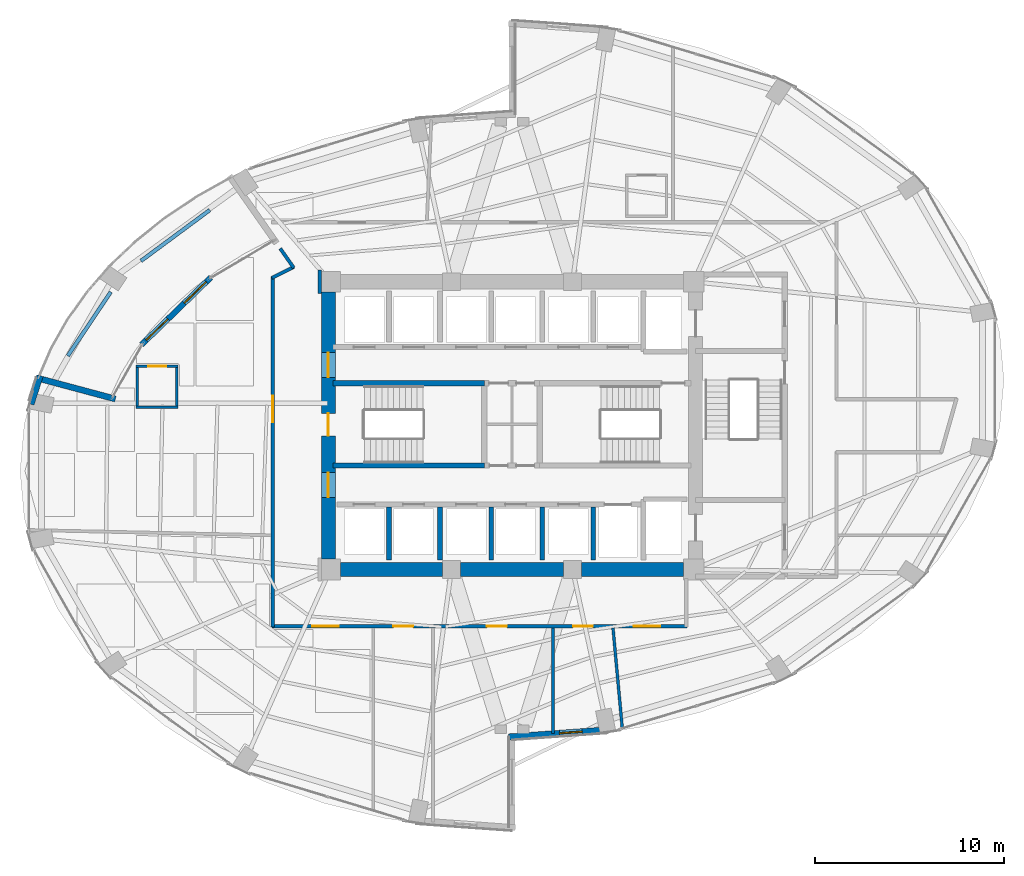
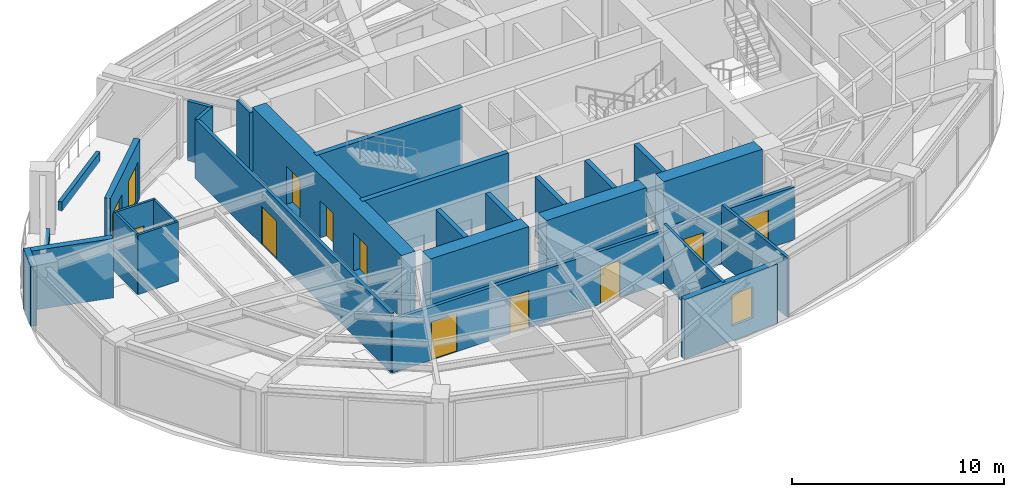
# One storey, part 20 of 24: 28 walls, 12 doors, 1 window, 13 openings.
"""IFC4 building model written with IfcOpenShell, lengths in metres."""

from ifc_helpers import new_model, si_unit, direction, frame, frame_2d, origin, place, context, subcontext, project, spatial, rectangle, extrude, material, layer, layer_set, type_object, element, fill, save


model = new_model("IFC4")

# Units and contexts
model_context = context("Model", 3, precision=1e-05, world=origin(), true_north=direction((0.0, 1.0)))
body_context = subcontext(model_context, "Body", "Model", "MODEL_VIEW")
ifc_project = project(units=[si_unit("LENGTHUNIT", "METRE"), si_unit("AREAUNIT", "SQUARE_METRE"), si_unit("VOLUMEUNIT", "CUBIC_METRE"), si_unit("PLANEANGLEUNIT", "RADIAN"), si_unit("MASSUNIT", "GRAM", prefix="KILO")], contexts=[model_context])

# Site, building, storey
site_placement = place(None, origin())
site = spatial("IfcSite", under=ifc_project, at=site_placement, CompositionType="ELEMENT")
building_placement = place(site_placement, origin())
building = spatial("IfcBuilding", under=site, at=building_placement, Name="Lazwardi Medical Tower", CompositionType="ELEMENT")
storey_placement = place(building_placement, frame((0.0, 0.0, 110.927978515625)))
storey = spatial("IfcBuildingStorey", under=building, at=storey_placement, Name="L28", CompositionType="ELEMENT", Elevation=110.927978515625)

# Wall, opening, door
ifc_material_1 = material(Name="Fire-rated gypsum board on steel stud", Category="steel")
ifc_layer_1 = layer(ifc_material_1, 0.179931640625)
ifc_layer_set_1 = layer_set([ifc_layer_1], Name="Fire-rated gypsum board on steel stud")
wall_type_1 = type_object("IfcWallType", Name="WL-COR-180", PredefinedType="PARTITIONING", material=ifc_layer_set_1)
wall_1_placement = place(storey_placement, frame((23.35009765625, 17.360107421875, 0.0), z_axis=(0.0, 0.0, 1.0), x_axis=(0.0, 1.0, 0.0)))
wall_1 = element("IfcWall", 1, at=wall_1_placement, inside=storey, type_object=wall_type_1, Name="L28 Corridor partition 1", PredefinedType="PARTITIONING", context=body_context, shape_type="SweptSolid", body=[
    extrude(rectangle(XDim=18.504638671875, YDim=0.179931640625, at=frame_2d((9.25244140625, 0.0))), origin(), (0.0, 0.0, 1.0), 3.427978515625),
])
opening_1_placement = place(wall_1_placement, frame((10.814208984375, 0.0, 0.0)))
opening_1 = element("IfcOpeningElement", 2, at=opening_1_placement, cuts=wall_1, Name="Opening D-L28-019", PredefinedType="OPENING", context=body_context, shape_type="SweptSolid", body=[
    extrude(rectangle(XDim=1.39990234375, YDim=2.199951171875, at=frame_2d((0.699951171875, 1.10009765625))), frame((0.0, 0.099853515625, 0.0), z_axis=(0.0, -1.0, 0.0), x_axis=(1.0, 0.0, 0.0)), (0.0, 0.0, 1.0), 0.199951171875),
])
ifc_material_2 = material(Name="Anti-microbial laminate hospital leaf")
door_type_1 = type_object("IfcDoorType", Name="DR-BED-1400", OperationType="NOTDEFINED", PredefinedType="DOOR", material=ifc_material_2)
door_1_placement = place(opening_1_placement, origin())
door_1 = element("IfcDoor", 3, at=door_1_placement, inside=storey, type_object=door_type_1, Name="L28 Inpatient Ward Door 09", OperationType="SINGLE_SWING_LEFT", OverallHeight=2.199951171875, OverallWidth=1.39990234375, PredefinedType="DOOR", context=body_context, shape_type="SweptSolid", body=[
    extrude(rectangle(XDim=1.39990234375, YDim=2.199951171875, at=frame_2d((0.699951171875, 1.10009765625))), frame((0.0, 0.02490234375, 0.0), z_axis=(0.0, -1.0, 0.0), x_axis=(1.0, 0.0, 0.0)), (0.0, 0.0, 1.0), 0.050048828125),
])
fill(opening_1, door_1)

# Walls
wall_2_placement = place(storey_placement, frame((23.314208984375, 35.806884765625, 0.0), z_axis=(0.0, 0.0, 1.0), x_axis=(0.894202026902, 0.447663640565, 0.0)))
element("IfcWall", 4, at=wall_2_placement, inside=storey, type_object=wall_type_1, Name="L28 Corridor partition 2", PredefinedType="PARTITIONING", context=body_context, shape_type="SweptSolid", body=[
    extrude(rectangle(XDim=1.3017578125, YDim=0.179931640625, at=frame_2d((0.65087890625, 0.0))), origin(), (0.0, 0.0, 1.0), 3.427978515625),
])
wall_3_placement = place(storey_placement, frame((24.46533203125, 36.339111328125, 0.0), z_axis=(0.0, 0.0, 1.0), x_axis=(-0.573541599177, 0.819176436437, 0.0)))
element("IfcWall", 5, at=wall_3_placement, inside=storey, type_object=wall_type_1, Name="L28 Corridor partition 3", PredefinedType="PARTITIONING", context=body_context, shape_type="SweptSolid", body=[
    extrude(rectangle(XDim=1.240478515625, YDim=0.179931640625, at=frame_2d((0.6201171875, 0.0))), origin(), (0.0, 0.0, 1.0), 3.427978515625),
])
wall_4_placement = place(storey_placement, frame((25.830078125, 36.2099609375, 0.0), z_axis=(0.0, 0.0, 1.0), x_axis=(0.0, -1.0, 0.0)))
element("IfcWall", 6, at=wall_4_placement, inside=storey, type_object=wall_type_1, Name="L28 Corridor partition 11", PredefinedType="PARTITIONING", context=body_context, shape_type="SweptSolid", body=[
    extrude(rectangle(XDim=1.219970703125, YDim=0.179931640625, at=frame_2d((0.60986328125, 0.0))), origin(), (0.0, 0.0, 1.0), 3.427978515625),
])

# Wall, openings, doors
wall_5_placement = place(storey_placement, frame((45.239990234375, 17.39990234375, 0.0), z_axis=(0.0, 0.0, 1.0), x_axis=(-1.0, 0.0, 0.0)))
wall_5 = element("IfcWall", 7, at=wall_5_placement, inside=storey, type_object=wall_type_1, Name="L28 Corridor partition 14", PredefinedType="PARTITIONING", context=body_context, shape_type="SweptSolid", body=[
    extrude(rectangle(XDim=21.929931640625, YDim=0.179931640625, at=frame_2d((10.96484375, 0.0))), origin(), (0.0, 0.0, 1.0), 3.052978515625),
])
opening_2_placement = place(wall_5_placement, frame((18.39111328125, 0.0, 0.0)))
opening_2 = element("IfcOpeningElement", 8, at=opening_2_placement, cuts=wall_5, Name="Opening D-L28-011", PredefinedType="OPENING", context=body_context, shape_type="SweptSolid", body=[
    extrude(rectangle(XDim=1.39990234375, YDim=2.199951171875, at=frame_2d((0.699951171875, 1.10009765625))), frame((0.0, 0.099853515625, 0.0), z_axis=(0.0, -1.0, 0.0), x_axis=(1.0, 0.0, 0.0)), (0.0, 0.0, 1.0), 0.199951171875),
])
opening_3_placement = place(wall_5_placement, frame((14.465087890625, 0.0, 0.0)))
opening_3 = element("IfcOpeningElement", 9, at=opening_3_placement, cuts=wall_5, Name="Opening D-L28-012", PredefinedType="OPENING", context=body_context, shape_type="SweptSolid", body=[
    extrude(rectangle(XDim=1.050048828125, YDim=2.14990234375, at=frame_2d((0.52490234375, 1.074951171875))), frame((0.0, 0.099853515625, 0.0), z_axis=(0.0, -1.0, 0.0), x_axis=(1.0, 0.0, 0.0)), (0.0, 0.0, 1.0), 0.199951171875),
])
opening_4_placement = place(wall_5_placement, frame((9.514892578125, 0.0, 0.0)))
opening_4 = element("IfcOpeningElement", 10, at=opening_4_placement, cuts=wall_5, Name="Opening D-L28-013", PredefinedType="OPENING", context=body_context, shape_type="SweptSolid", body=[
    extrude(rectangle(XDim=1.050048828125, YDim=2.14990234375, at=frame_2d((0.52490234375, 1.074951171875))), frame((0.0, 0.099853515625, 0.0), z_axis=(0.0, -1.0, 0.0), x_axis=(1.0, 0.0, 0.0)), (0.0, 0.0, 1.0), 0.199951171875),
])
opening_5_placement = place(wall_5_placement, frame((4.96142578125, 0.0, 0.0)))
opening_5 = element("IfcOpeningElement", 11, at=opening_5_placement, cuts=wall_5, Name="Opening D-L28-014", PredefinedType="OPENING", context=body_context, shape_type="SweptSolid", body=[
    extrude(rectangle(XDim=1.050048828125, YDim=2.14990234375, at=frame_2d((0.52490234375, 1.074951171875))), frame((0.0, 0.099853515625, 0.0), z_axis=(0.0, -1.0, 0.0), x_axis=(1.0, 0.0, 0.0)), (0.0, 0.0, 1.0), 0.199951171875),
])
opening_6_placement = place(wall_5_placement, frame((1.41015625, 0.0, 0.0)))
opening_6 = element("IfcOpeningElement", 12, at=opening_6_placement, cuts=wall_5, Name="Opening D-L28-015", PredefinedType="OPENING", context=body_context, shape_type="SweptSolid", body=[
    extrude(rectangle(XDim=1.39990234375, YDim=2.199951171875, at=frame_2d((0.699951171875, 1.10009765625))), frame((0.0, 0.099853515625, 0.0), z_axis=(0.0, -1.0, 0.0), x_axis=(1.0, 0.0, 0.0)), (0.0, 0.0, 1.0), 0.199951171875),
])
door_2_placement = place(opening_2_placement, origin())
door_2 = element("IfcDoor", 13, at=door_2_placement, inside=storey, type_object=door_type_1, Name="L28 Sky Garden Lounge Door 01", OperationType="SINGLE_SWING_LEFT", OverallHeight=2.199951171875, OverallWidth=1.39990234375, PredefinedType="DOOR", context=body_context, shape_type="SweptSolid", body=[
    extrude(rectangle(XDim=1.39990234375, YDim=2.199951171875, at=frame_2d((0.699951171875, 1.10009765625))), frame((0.0, 0.02490234375, 0.0), z_axis=(0.0, -1.0, 0.0), x_axis=(1.0, 0.0, 0.0)), (0.0, 0.0, 1.0), 0.050048828125),
])
fill(opening_2, door_2)
door_3_placement = place(opening_6_placement, origin())
door_3 = element("IfcDoor", 14, at=door_3_placement, inside=storey, type_object=door_type_1, Name="L28 Inpatient Ward Door 05", OperationType="SINGLE_SWING_LEFT", OverallHeight=2.199951171875, OverallWidth=1.39990234375, PredefinedType="DOOR", context=body_context, shape_type="SweptSolid", body=[
    extrude(rectangle(XDim=1.39990234375, YDim=2.199951171875, at=frame_2d((0.699951171875, 1.10009765625))), frame((0.0, 0.02490234375, 0.0), z_axis=(0.0, -1.0, 0.0), x_axis=(1.0, 0.0, 0.0)), (0.0, 0.0, 1.0), 0.050048828125),
])
fill(opening_6, door_3)
door_type_2 = type_object("IfcDoorType", Name="DR-CLN-1050", OperationType="NOTDEFINED", PredefinedType="DOOR", material=ifc_material_2)
door_4_placement = place(opening_3_placement, origin())
door_4 = element("IfcDoor", 15, at=door_4_placement, inside=storey, type_object=door_type_2, Name="L28 Clinical Specialist Office Door 02", OperationType="SINGLE_SWING_RIGHT", OverallHeight=2.14990234375, OverallWidth=1.050048828125, PredefinedType="DOOR", context=body_context, shape_type="SweptSolid", body=[
    extrude(rectangle(XDim=1.050048828125, YDim=2.14990234375, at=frame_2d((0.52490234375, 1.074951171875))), frame((0.0, 0.02490234375, 0.0), z_axis=(0.0, -1.0, 0.0), x_axis=(1.0, 0.0, 0.0)), (0.0, 0.0, 1.0), 0.050048828125),
])
fill(opening_3, door_4)
door_5_placement = place(opening_4_placement, origin())
door_5 = element("IfcDoor", 16, at=door_5_placement, inside=storey, type_object=door_type_2, Name="L28 Ward Dietetic Pantry Door 03", OperationType="SINGLE_SWING_LEFT", OverallHeight=2.14990234375, OverallWidth=1.050048828125, PredefinedType="DOOR", context=body_context, shape_type="SweptSolid", body=[
    extrude(rectangle(XDim=1.050048828125, YDim=2.14990234375, at=frame_2d((0.52490234375, 1.074951171875))), frame((0.0, 0.02490234375, 0.0), z_axis=(0.0, -1.0, 0.0), x_axis=(1.0, 0.0, 0.0)), (0.0, 0.0, 1.0), 0.050048828125),
])
fill(opening_4, door_5)
door_6_placement = place(opening_5_placement, origin())
door_6 = element("IfcDoor", 17, at=door_6_placement, inside=storey, type_object=door_type_2, Name="L28 Medical Duty Staff Room Door 04", OperationType="SINGLE_SWING_RIGHT", OverallHeight=2.14990234375, OverallWidth=1.050048828125, PredefinedType="DOOR", context=body_context, shape_type="SweptSolid", body=[
    extrude(rectangle(XDim=1.050048828125, YDim=2.14990234375, at=frame_2d((0.52490234375, 1.074951171875))), frame((0.0, 0.02490234375, 0.0), z_axis=(0.0, -1.0, 0.0), x_axis=(1.0, 0.0, 0.0)), (0.0, 0.0, 1.0), 0.050048828125),
])
fill(opening_5, door_6)

ifc_material_3 = material(Name="Concrete C70/85", Category="concrete")
ifc_layer_2 = layer(ifc_material_3, 0.75)
ifc_layer_set_2 = layer_set([ifc_layer_2], Name="Concrete C70/85")
wall_type_2 = type_object("IfcWallType", Name="WL-CORE-750", PredefinedType="SHEAR", material=ifc_layer_set_2)
wall_6_placement = place(storey_placement, frame((26.300048828125, 20.949951171875, 0.0), z_axis=(0.0, 0.0, 1.0), x_axis=(0.0, 1.0, 0.0)))
wall_6 = element("IfcWall", 18, at=wall_6_placement, inside=storey, type_object=wall_type_2, Name="Core wall CW-S2 west L28", PredefinedType="SHEAR", context=body_context, shape_type="SweptSolid", body=[
    extrude(rectangle(XDim=14.10009765625, YDim=0.75, at=frame_2d((7.050048828125, 0.0))), origin(), (0.0, 0.0, 1.0), 3.64794921875),
])
opening_7_placement = place(wall_6_placement, frame((6.5, 0.0, 0.0)))
opening_7 = element("IfcOpeningElement", 19, at=opening_7_placement, cuts=wall_6, Name="Opening D-L28-020", PredefinedType="OPENING", context=body_context, shape_type="SweptSolid", body=[
    extrude(rectangle(XDim=1.199951171875, YDim=2.14990234375, at=frame_2d((0.60009765625, 1.074951171875))), frame((0.0, 0.385009765625, 0.0), z_axis=(0.0, -1.0, 0.0), x_axis=(1.0, 0.0, 0.0)), (0.0, 0.0, 1.0), 0.77001953125),
])
opening_8_placement = place(wall_6_placement, frame((9.60009765625, 0.0, 0.0)))
opening_8 = element("IfcOpeningElement", 20, at=opening_8_placement, cuts=wall_6, Name="Opening D-L28-009", PredefinedType="OPENING", context=body_context, shape_type="SweptSolid", body=[
    extrude(rectangle(XDim=1.300048828125, YDim=2.199951171875, at=frame_2d((0.64990234375, 1.10009765625))), frame((0.0, 0.385009765625, 0.0), z_axis=(0.0, -1.0, 0.0), x_axis=(1.0, 0.0, 0.0)), (0.0, 0.0, 1.0), 0.77001953125),
])
opening_9_placement = place(wall_6_placement, frame((3.260009765625, 0.0, 0.0)))
opening_9 = element("IfcOpeningElement", 21, at=opening_9_placement, cuts=wall_6, Name="Opening D-L28-010", PredefinedType="OPENING", context=body_context, shape_type="SweptSolid", body=[
    extrude(rectangle(XDim=1.300048828125, YDim=2.199951171875, at=frame_2d((0.64990234375, 1.10009765625))), frame((0.0, 0.385009765625, 0.0), z_axis=(0.0, -1.0, 0.0), x_axis=(1.0, 0.0, 0.0)), (0.0, 0.0, 1.0), 0.77001953125),
])
ifc_material_4 = material(Name="Fire-rated steel leaf and frame", Category="steel")
door_type_3 = type_object("IfcDoorType", Name="DR-FFL-1300", OperationType="NOTDEFINED", PredefinedType="DOOR", material=ifc_material_4)
door_7_placement = place(opening_8_placement, origin())
door_7 = element("IfcDoor", 22, at=door_7_placement, inside=storey, type_object=door_type_3, Name="L28 North Lift Lobby Door", OperationType="SINGLE_SWING_RIGHT", OverallHeight=2.199951171875, OverallWidth=1.300048828125, PredefinedType="DOOR", context=body_context, shape_type="SweptSolid", body=[
    extrude(rectangle(XDim=1.300048828125, YDim=2.199951171875, at=frame_2d((0.64990234375, 1.10009765625))), frame((0.0, 0.02490234375, 0.0), z_axis=(0.0, -1.0, 0.0), x_axis=(1.0, 0.0, 0.0)), (0.0, 0.0, 1.0), 0.050048828125),
])
fill(opening_8, door_7)
door_8_placement = place(opening_9_placement, origin())
door_8 = element("IfcDoor", 23, at=door_8_placement, inside=storey, type_object=door_type_3, Name="L28 South Lift Lobby Door", OperationType="SINGLE_SWING_LEFT", OverallHeight=2.199951171875, OverallWidth=1.300048828125, PredefinedType="DOOR", context=body_context, shape_type="SweptSolid", body=[
    extrude(rectangle(XDim=1.300048828125, YDim=2.199951171875, at=frame_2d((0.64990234375, 1.10009765625))), frame((0.0, 0.02490234375, 0.0), z_axis=(0.0, -1.0, 0.0), x_axis=(1.0, 0.0, 0.0)), (0.0, 0.0, 1.0), 0.050048828125),
])
fill(opening_9, door_8)
door_type_4 = type_object("IfcDoorType", Name="DR-STR-1200", OperationType="NOTDEFINED", PredefinedType="DOOR", material=ifc_material_4)
door_9_placement = place(opening_7_placement, origin())
door_9 = element("IfcDoor", 24, at=door_9_placement, inside=storey, type_object=door_type_4, Name="L28 Exit Stair ST1 Door", OperationType="SINGLE_SWING_RIGHT", OverallHeight=2.14990234375, OverallWidth=1.199951171875, PredefinedType="DOOR", context=body_context, shape_type="SweptSolid", body=[
    extrude(rectangle(XDim=1.199951171875, YDim=2.14990234375, at=frame_2d((0.60009765625, 1.074951171875))), frame((0.0, 0.02490234375, 0.0), z_axis=(0.0, -1.0, 0.0), x_axis=(1.0, 0.0, 0.0)), (0.0, 0.0, 1.0), 0.050048828125),
])
fill(opening_7, door_9)

# Walls
wall_7_placement = place(storey_placement, frame((26.949951171875, 20.39990234375, 0.0), z_axis=(0.0, 0.0, 1.0), x_axis=(1.0, 0.0, 0.0)))
element("IfcWall", 25, at=wall_7_placement, inside=storey, type_object=wall_type_2, Name="Core wall CW-S2 S1 L28", PredefinedType="SHEAR", context=body_context, shape_type="SweptSolid", body=[
    extrude(rectangle(XDim=5.375, YDim=0.75, at=frame_2d((2.6875, 0.0))), origin(), (0.0, 0.0, 1.0), 3.64794921875),
])
wall_8_placement = place(storey_placement, frame((33.27490234375, 20.39990234375, 0.0), z_axis=(0.0, 0.0, 1.0), x_axis=(1.0, 0.0, 0.0)))
element("IfcWall", 26, at=wall_8_placement, inside=storey, type_object=wall_type_2, Name="Core wall CW-S2 S2 L28", PredefinedType="SHEAR", context=body_context, shape_type="SweptSolid", body=[
    extrude(rectangle(XDim=5.4501953125, YDim=0.75, at=frame_2d((2.72509765625, 0.0))), origin(), (0.0, 0.0, 1.0), 3.64794921875),
])
wall_9_placement = place(storey_placement, frame((39.675048828125, 20.39990234375, 0.0), z_axis=(0.0, 0.0, 1.0), x_axis=(1.0, 0.0, 0.0)))
element("IfcWall", 27, at=wall_9_placement, inside=storey, type_object=wall_type_2, Name="Core wall CW-S2 S3 L28", PredefinedType="SHEAR", context=body_context, shape_type="SweptSolid", body=[
    extrude(rectangle(XDim=5.375, YDim=0.75, at=frame_2d((2.6875, 0.0))), origin(), (0.0, 0.0, 1.0), 3.64794921875),
])

# Wall, opening, door
ifc_material_5 = material(Name="Moisture-resistant gypsum board partition")
ifc_layer_3 = layer(ifc_material_5, 0.125)
ifc_layer_set_3 = layer_set([ifc_layer_3], Name="Moisture-resistant gypsum board partition")
wall_type_3 = type_object("IfcWallType", Name="WL-ENS-125", PredefinedType="PARTITIONING", material=ifc_layer_set_3)
wall_10_placement = place(storey_placement, frame((16.130615234375, 31.12841796875, 0.0), z_axis=(0.0, 0.0, 1.0), x_axis=(1.0, 0.0, 0.0)))
wall_10 = element("IfcWall", 28, at=wall_10_placement, inside=storey, type_object=wall_type_3, Name="L28 En-suite wall 9N", PredefinedType="PARTITIONING", context=body_context, shape_type="SweptSolid", body=[
    extrude(rectangle(XDim=2.219970703125, YDim=0.125, at=frame_2d((1.10986328125, 0.0))), origin(), (0.0, 0.0, 1.0), 3.427978515625),
])
opening_10_placement = place(wall_10_placement, frame((0.635009765625, 0.0, 0.0)))
opening_10 = element("IfcOpeningElement", 29, at=opening_10_placement, cuts=wall_10, Name="Opening D-L28-006", PredefinedType="OPENING", context=body_context, shape_type="SweptSolid", body=[
    extrude(rectangle(XDim=0.949951171875, YDim=2.10009765625, at=frame_2d((0.47509765625, 1.050048828125))), frame((0.0, 0.072509765625, 0.0), z_axis=(0.0, -1.0, 0.0), x_axis=(1.0, 0.0, 0.0)), (0.0, 0.0, 1.0), 0.14501953125),
])
ifc_material_6 = material(Name="Moisture-resistant laminate door leaf")
door_type_5 = type_object("IfcDoorType", Name="DR-ENS-950", OperationType="NOTDEFINED", PredefinedType="DOOR", material=ifc_material_6)
door_10_placement = place(opening_10_placement, origin())
door_10 = element("IfcDoor", 30, at=door_10_placement, inside=storey, type_object=door_type_5, Name="L28 En-suite Door 09", OperationType="SINGLE_SWING_RIGHT", OverallHeight=2.10009765625, OverallWidth=0.949951171875, PredefinedType="DOOR", context=body_context, shape_type="SweptSolid", body=[
    extrude(rectangle(XDim=0.949951171875, YDim=2.10009765625, at=frame_2d((0.47509765625, 1.050048828125))), frame((0.0, 0.02490234375, 0.0), z_axis=(0.0, -1.0, 0.0), x_axis=(1.0, 0.0, 0.0)), (0.0, 0.0, 1.0), 0.050048828125),
])
fill(opening_10, door_10)

# Walls
wall_11_placement = place(storey_placement, frame((16.130615234375, 28.968505859375, 0.0), z_axis=(0.0, 0.0, 1.0), x_axis=(1.0, 0.0, 0.0)))
element("IfcWall", 31, at=wall_11_placement, inside=storey, type_object=wall_type_3, Name="L28 En-suite wall 9S", PredefinedType="PARTITIONING", context=body_context, shape_type="SweptSolid", body=[
    extrude(rectangle(XDim=2.219970703125, YDim=0.125, at=frame_2d((1.10986328125, 0.0))), origin(), (0.0, 0.0, 1.0), 3.427978515625),
])
for number, where, z_axis, x_axis, name in (
    (32, (18.290771484375, 28.908447265625, 0.0), (0.0, 0.0, 1.0), (0.0, 1.0, 0.0), "L28 En-suite wall 9E"),
    (33, (16.190673828125, 28.908447265625, 0.0), (0.0, 0.0, 1.0), (0.0, 1.0, 0.0), "L28 En-suite wall 9W"),
):
    element("IfcWall", number, at=place(storey_placement, frame(where, z_axis=z_axis, x_axis=x_axis)), inside=storey, type_object=wall_type_3, Name=name, PredefinedType="PARTITIONING", context=body_context, shape_type="SweptSolid", body=[
        extrude(rectangle(XDim=2.280029296875, YDim=0.125, at=frame_2d((1.14013671875, 0.0))), origin(), (0.0, 0.0, 1.0), 3.427978515625),
    ])

# Wall, opening, window
ifc_material_7 = material(Name="Precast concrete C45/55", Category="concrete")
ifc_layer_4 = layer(ifc_material_7, 0.320068359375)
ifc_layer_set_4 = layer_set([ifc_layer_4], Name="Precast concrete C45/55")
wall_type_4 = type_object("IfcWallType", Name="WL-IWAN-320", PredefinedType="SOLIDWALL", material=ifc_layer_set_4)
wall_12_placement = place(storey_placement, frame((35.820556640625, 11.547119140625, 0.0), z_axis=(0.0, 0.0, 1.0), x_axis=(0.997432364291, 0.071614793619, 0.0)))
wall_12 = element("IfcWall", 34, at=wall_12_placement, inside=storey, type_object=wall_type_4, Name="L28 Iwan Portal Return Wall SE_ret", PredefinedType="SOLIDWALL", context=body_context, shape_type="SweptSolid", body=[
    extrude(rectangle(XDim=5.2841796875, YDim=0.320068359375, at=frame_2d((2.64208984375, 0.0))), origin(), (0.0, 0.0, 1.0), 3.427978515625),
])
opening_11_placement = place(wall_12_placement, frame((2.696533203125, 0.0, 0.85009765625)))
opening_11 = element("IfcOpeningElement", 35, at=opening_11_placement, cuts=wall_12, Name="Opening WN-04", PredefinedType="OPENING", context=body_context, shape_type="SweptSolid", body=[
    extrude(rectangle(XDim=1.199951171875, YDim=1.800048828125, at=frame_2d((0.60009765625, 0.89990234375))), frame((0.0, 0.169921875, 0.0), z_axis=(0.0, -1.0, 0.0), x_axis=(1.0, 0.0, 0.0)), (0.0, 0.0, 1.0), 0.340087890625),
])
ifc_material_8 = material(Name="Low-e bronze solar control double glazing", Category="glass")
window_type = type_object("IfcWindowType", Name="WIN-DRUM-1200", PartitioningType="SINGLE_PANEL", PredefinedType="WINDOW", material=ifc_material_8)
window_placement = place(opening_11_placement, origin())
window = element("IfcWindow", 36, at=window_placement, inside=storey, type_object=window_type, Name="L28 Iwan Slot Window SE_ret", OverallHeight=1.800048828125, OverallWidth=1.199951171875, PartitioningType="SINGLE_PANEL", PredefinedType="WINDOW", context=body_context, shape_type="SweptSolid", body=[
    extrude(rectangle(XDim=1.199951171875, YDim=1.800048828125, at=frame_2d((0.60009765625, 0.89990234375))), frame((0.0, 0.030029296875, 0.0), z_axis=(0.0, -1.0, 0.0), x_axis=(1.0, 0.0, 0.0)), (0.0, 0.0, 1.0), 0.06005859375),
])
fill(opening_11, window)

# Walls
wall_13_placement = place(storey_placement, frame((10.847412109375, 30.52783203125, 0.0), z_axis=(0.0, 0.0, 1.0), x_axis=(0.965921433008, -0.258835440493, 0.0)))
element("IfcWall", 37, at=wall_13_placement, inside=storey, type_object=wall_type_4, Name="L28 Sky Garden SG2 Flank Wall S1", PredefinedType="SOLIDWALL", context=body_context, shape_type="SweptSolid", body=[
    extrude(rectangle(XDim=4.33984375, YDim=0.320068359375, at=frame_2d((2.169921875, 0.0))), origin(), (0.0, 0.0, 1.0), 3.427978515625),
])
wall_14_placement = place(storey_placement, frame((11.06982421875, 30.6337890625, 0.0), z_axis=(0.0, 0.0, 1.0), x_axis=(-0.304490127284, -0.95251549194, 0.0)))
element("IfcWall", 38, at=wall_14_placement, inside=storey, type_object=wall_type_4, Name="L28 Sky Garden SG2 Jamb Return Wall", PredefinedType="SOLIDWALL", context=body_context, shape_type="SweptSolid", body=[
    extrude(rectangle(XDim=1.58203125, YDim=0.320068359375, at=frame_2d((0.791015625, 0.0))), origin(), (0.0, 0.0, 1.0), 3.427978515625),
])

# Wall, openings, doors
ifc_layer_5 = layer(ifc_material_7, 0.300048828125)
ifc_layer_set_5 = layer_set([ifc_layer_5], Name="Precast concrete C45/55")
wall_type_5 = type_object("IfcWallType", Name="WL-LOBBY-300", PredefinedType="SOLIDWALL", material=ifc_layer_set_5)
wall_15_placement = place(storey_placement, frame((20.083984375, 35.831787109375, 0.0), z_axis=(0.0, 0.0, 1.0), x_axis=(-0.717328504083, -0.696735112672, 0.0)))
wall_15 = element("IfcWall", 39, at=wall_15_placement, inside=storey, type_object=wall_type_5, Name="L28 Sky Garden SG2 Loggia Portal Wall", PredefinedType="SOLIDWALL", context=body_context, shape_type="SweptSolid", body=[
    extrude(rectangle(XDim=5.109619140625, YDim=0.300048828125, at=frame_2d((2.5546875, 0.0))), origin(), (0.0, 0.0, 1.0), 3.427978515625),
])
opening_12_placement = place(wall_15_placement, frame((0.35009765625, 0.0, 0.02001953125)))
opening_12 = element("IfcOpeningElement", 40, at=opening_12_placement, cuts=wall_15, Name="Opening D-L28-023", PredefinedType="OPENING", context=body_context, shape_type="SweptSolid", body=[
    extrude(rectangle(XDim=1.60009765625, YDim=2.300048828125, at=frame_2d((0.800048828125, 1.14990234375))), frame((0.0, 0.159912109375, 0.0), z_axis=(0.0, -1.0, 0.0), x_axis=(1.0, 0.0, 0.0)), (0.0, 0.0, 1.0), 0.320068359375),
])
opening_13_placement = place(wall_15_placement, frame((3.15966796875, 0.0, 0.02001953125)))
opening_13 = element("IfcOpeningElement", 41, at=opening_13_placement, cuts=wall_15, Name="Opening D-L28-024", PredefinedType="OPENING", context=body_context, shape_type="SweptSolid", body=[
    extrude(rectangle(XDim=1.60009765625, YDim=2.300048828125, at=frame_2d((0.800048828125, 1.14990234375))), frame((0.0, 0.159912109375, 0.0), z_axis=(0.0, -1.0, 0.0), x_axis=(1.0, 0.0, 0.0)), (0.0, 0.0, 1.0), 0.320068359375),
])
ifc_material_9 = material(Name="Anodised bronze aluminium and laminated glass", Category="aluminium")
door_type_6 = type_object("IfcDoorType", Name="DR-SKG-1600", OperationType="NOTDEFINED", PredefinedType="DOOR", material=ifc_material_9)
door_11_placement = place(opening_12_placement, origin())
door_11 = element("IfcDoor", 42, at=door_11_placement, inside=storey, type_object=door_type_6, Name="L28 Sky Garden SG2 Terrace Door 1", OperationType="DOUBLE_DOOR_SINGLE_SWING", OverallHeight=2.300048828125, OverallWidth=1.60009765625, PredefinedType="DOOR", context=body_context, shape_type="SweptSolid", body=[
    extrude(rectangle(XDim=1.60009765625, YDim=2.300048828125, at=frame_2d((0.800048828125, 1.14990234375))), frame((0.0, 0.02490234375, 0.0), z_axis=(0.0, -1.0, 0.0), x_axis=(1.0, 0.0, 0.0)), (0.0, 0.0, 1.0), 0.050048828125),
])
fill(opening_12, door_11)
door_12_placement = place(opening_13_placement, origin())
door_12 = element("IfcDoor", 43, at=door_12_placement, inside=storey, type_object=door_type_6, Name="L28 Sky Garden SG2 Terrace Door 2", OperationType="DOUBLE_DOOR_SINGLE_SWING", OverallHeight=2.300048828125, OverallWidth=1.60009765625, PredefinedType="DOOR", context=body_context, shape_type="SweptSolid", body=[
    extrude(rectangle(XDim=1.60009765625, YDim=2.300048828125, at=frame_2d((0.800048828125, 1.14990234375))), frame((0.0, 0.02490234375, 0.0), z_axis=(0.0, -1.0, 0.0), x_axis=(1.0, 0.0, 0.0)), (0.0, 0.0, 1.0), 0.050048828125),
])
fill(opening_13, door_12)

# Walls
ifc_material_10 = material(Name="Precast concrete C40/50", Category="concrete")
ifc_layer_6 = layer(ifc_material_10, 0.199951171875)
ifc_layer_set_6 = layer_set([ifc_layer_6], Name="Precast concrete C40/50")
wall_type_6 = type_object("IfcWallType", Name="WL-PLN-200", PredefinedType="PARAPET", material=ifc_layer_set_6)
wall_16_placement = place(storey_placement, frame((20.029296875, 39.390625, 0.0), z_axis=(0.0, 0.0, 1.0), x_axis=(-0.803927056342, -0.594727910966, 0.0)))
element("IfcWall", 44, at=wall_16_placement, inside=storey, type_object=wall_type_6, Name="L28 Sky Garden SG2 Structural Planter 1", PredefinedType="PARAPET", context=body_context, shape_type="SweptSolid", body=[
    extrude(rectangle(XDim=4.5234375, YDim=0.199951171875, at=frame_2d((2.26171875, 0.0))), origin(), (0.0, 0.0, 1.0), 0.550048828125),
])
wall_17_placement = place(storey_placement, frame((14.795166015625, 35.058837890625, 0.0), z_axis=(0.0, 0.0, 1.0), x_axis=(-0.55775543524, -0.830005346043, 0.0)))
element("IfcWall", 45, at=wall_17_placement, inside=storey, type_object=wall_type_6, Name="L28 Sky Garden SG2 Structural Planter 2", PredefinedType="PARAPET", context=body_context, shape_type="SweptSolid", body=[
    extrude(rectangle(XDim=4.0703125, YDim=0.199951171875, at=frame_2d((2.03515625, 0.0))), origin(), (0.0, 0.0, 1.0), 0.550048828125),
])
ifc_material_11 = material(Name="Autoclaved aerated concrete blockwork", Category="masonry")
ifc_layer_7 = layer(ifc_material_11, 0.25)
ifc_layer_set_7 = layer_set([ifc_layer_7], Name="Autoclaved aerated concrete blockwork")
wall_type_7 = type_object("IfcWallType", Name="WL-SHAFT-250", PredefinedType="SOLIDWALL", material=ifc_layer_set_7)
for number, where, z_axis, x_axis, name in (
    (46, (29.5, 20.89990234375, 0.0), (0.0, 0.0, 1.0), (0.0, 1.0, 0.0), "L28 South hoistway divider"),
    (47, (32.199951171875, 20.89990234375, 0.0), (0.0, 0.0, 1.0), (0.0, 1.0, 0.0), "L28 South hoistway divider"),
    (48, (34.89990234375, 20.89990234375, 0.0), (0.0, 0.0, 1.0), (0.0, 1.0, 0.0), "L28 South hoistway divider"),
    (49, (37.60009765625, 20.89990234375, 0.0), (0.0, 0.0, 1.0), (0.0, 1.0, 0.0), "L28 South hoistway divider"),
    (50, (40.300048828125, 20.89990234375, 0.0), (0.0, 0.0, 1.0), (0.0, 1.0, 0.0), "L28 South hoistway divider"),
):
    element("IfcWall", number, at=place(storey_placement, frame(where, z_axis=z_axis, x_axis=x_axis)), inside=storey, type_object=wall_type_7, Name=name, PredefinedType="SOLIDWALL", context=body_context, shape_type="SweptSolid", body=[
        extrude(rectangle(XDim=2.800048828125, YDim=0.25, at=frame_2d((1.39990234375, 0.0))), origin(), (0.0, 0.0, 1.0), 3.427978515625),
    ])
ifc_material_12 = material(Name="Concrete C50/60", Category="concrete")
ifc_layer_8 = layer(ifc_material_12, 0.27001953125)
ifc_layer_set_8 = layer_set([ifc_layer_8], Name="Concrete C50/60")
wall_type_8 = type_object("IfcWallType", Name="WL-STR-250", PredefinedType="SHEAR", material=ifc_layer_set_8)
for number, where, z_axis, x_axis, name in (
    (51, (26.550048828125, 30.235107421875, 0.0), (0.0, 0.0, 1.0), (1.0, 0.0, 0.0), "L28 ST1 North shear shaft wall SW-S1"),
    (52, (26.550048828125, 25.885009765625, 0.0), (0.0, 0.0, 1.0), (1.0, 0.0, 0.0), "L28 ST1 South shear shaft wall SW-S1"),
):
    element("IfcWall", number, at=place(storey_placement, frame(where, z_axis=z_axis, x_axis=x_axis)), inside=storey, type_object=wall_type_8, Name=name, PredefinedType="SHEAR", context=body_context, shape_type="SweptSolid", body=[
        extrude(rectangle(XDim=7.98486328125, YDim=0.27001953125, at=frame_2d((3.992431640625, 0.0))), origin(), (0.0, 0.0, 1.0), 3.64794921875),
    ])
ifc_material_13 = material(Name="Acoustic gypsum board partition")
ifc_layer_9 = layer(ifc_material_13, 0.14990234375)
ifc_layer_set_9 = layer_set([ifc_layer_9], Name="Acoustic gypsum board partition")
wall_type_9 = type_object("IfcWallType", Name="WL-WRD-150", PredefinedType="PARTITIONING", material=ifc_layer_set_9)
wall_18_placement = place(storey_placement, frame((38.169921875, 11.7265625, 0.0), z_axis=(0.0, 0.0, 1.0), x_axis=(0.0, 1.0, 0.0)))
element("IfcWall", 53, at=wall_18_placement, inside=storey, type_object=wall_type_9, Name="L28 Room partition 7", PredefinedType="PARTITIONING", context=body_context, shape_type="SweptSolid", body=[
    extrude(rectangle(XDim=5.58349609375, YDim=0.14990234375, at=frame_2d((2.791748046875, 0.0))), origin(), (0.0, 0.0, 1.0), 3.427978515625),
])
wall_19_placement = place(storey_placement, frame((41.82861328125, 11.99462890625, 0.0), z_axis=(0.0, 0.0, 1.0), x_axis=(-0.092106681554, 0.995749144721, 0.0)))
element("IfcWall", 54, at=wall_19_placement, inside=storey, type_object=wall_type_9, Name="L28 Room partition 8", PredefinedType="PARTITIONING", context=body_context, shape_type="SweptSolid", body=[
    extrude(rectangle(XDim=5.33837890625, YDim=0.14990234375, at=frame_2d((2.669189453125, 0.0))), origin(), (0.0, 0.0, 1.0), 3.427978515625),
])

save(model, "model.ifc")
